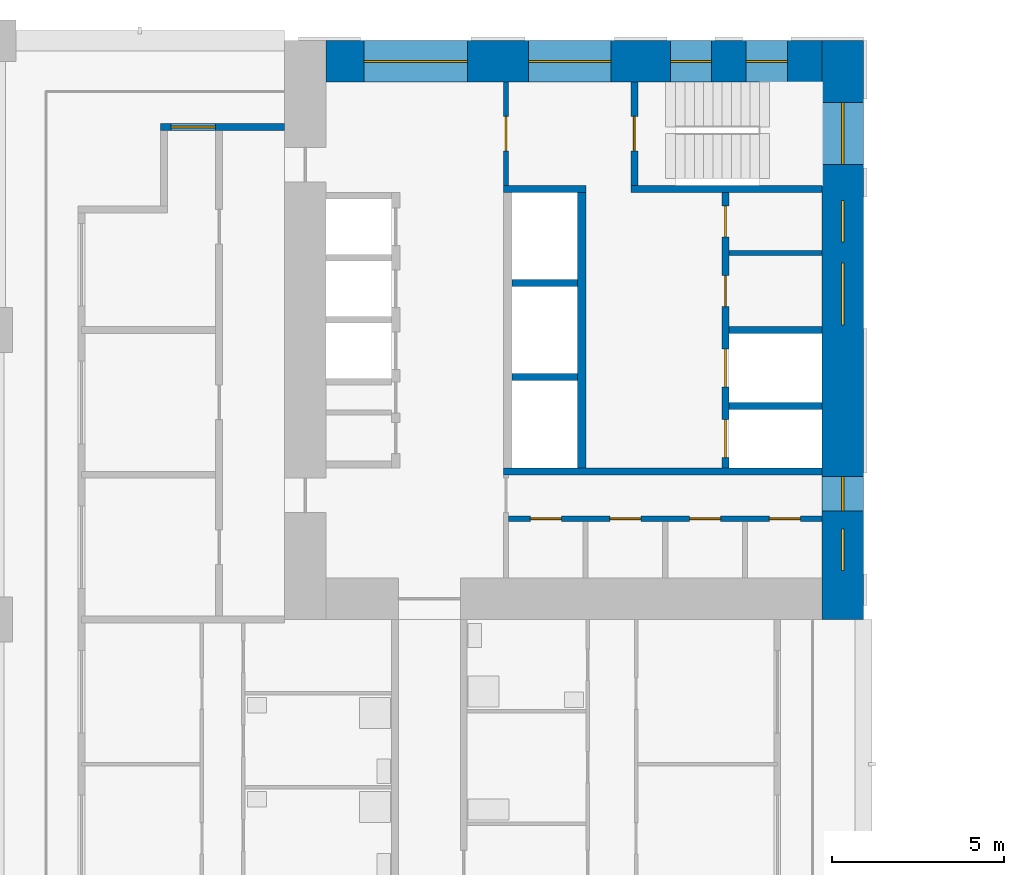
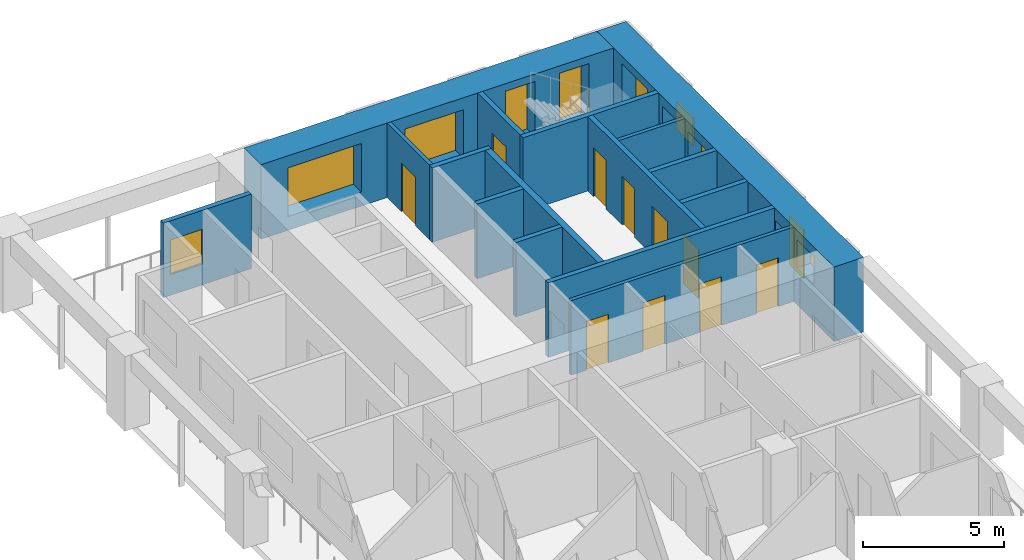
# One storey, part 8 of 17: 16 walls, 10 doors, 10 windows, 20 openings.
"""IFC4 building model written with IfcOpenShell, lengths in metres."""

from ifc_helpers import new_model, si_unit, direction, frame, frame_2d, origin, place, context, subcontext, project, spatial, rectangle, extrude, material, layer, layer_set, type_object, element, fill, save


model = new_model("IFC4")

# Units and contexts
model_context = context("Model", 3, precision=1e-05, world=origin(), true_north=direction((0.0, 1.0)))
body_context = subcontext(model_context, "Body", "Model", "MODEL_VIEW")
ifc_project = project(units=[si_unit("LENGTHUNIT", "METRE"), si_unit("AREAUNIT", "SQUARE_METRE"), si_unit("VOLUMEUNIT", "CUBIC_METRE"), si_unit("PLANEANGLEUNIT", "RADIAN"), si_unit("MASSUNIT", "GRAM", prefix="KILO")], contexts=[model_context])

# Site, building, storey
site_placement = place(None, origin())
site = spatial("IfcSite", under=ifc_project, at=site_placement, CompositionType="ELEMENT")
building_placement = place(site_placement, origin())
building = spatial("IfcBuilding", under=site, at=building_placement, Name="Vermilion Gate Residences", CompositionType="ELEMENT")
storey_placement = place(building_placement, frame((0.0, 0.0, 91.699951171875)))
storey = spatial("IfcBuildingStorey", under=building, at=storey_placement, Name="L22", CompositionType="ELEMENT", Elevation=91.699951171875)

# Wall
ifc_material_1 = material(Name="Masonry blockwork", Category="masonry")
ifc_layer_1 = layer(ifc_material_1, 0.14990234375)
ifc_layer_set_1 = layer_set([ifc_layer_1], Name="BLOCKWORK PARTITION 150 EI 120")
wall_type_1 = type_object("IfcWallType", Name="BLOCKWORK PARTITION 150 EI 120", PredefinedType="PARTITIONING", material=ifc_layer_set_1)
wall_1_placement = place(storey_placement, frame((21.300048828125, 52.637451171875, 0.0), z_axis=(0.0, 0.0, 1.0), x_axis=(1.0, 0.0, 0.0)))
element("IfcWall", 1, at=wall_1_placement, inside=storey, type_object=wall_type_1, Name="Core room partition B22-NR-P0", PredefinedType="PARTITIONING", context=body_context, shape_type="SweptSolid", body=[
    extrude(rectangle(XDim=2.699951171875, YDim=0.14990234375, at=frame_2d((1.35009765625, 0.0))), origin(), (0.0, 0.0, 1.0), 3.219970703125),
])

# Wall, opening, door
wall_2_placement = place(storey_placement, frame((14.824951171875, 57.60009765625, 0.0), z_axis=(0.0, 0.0, 1.0), x_axis=(0.0, -1.0, 0.0)))
wall_2 = element("IfcWall", 2, at=wall_2_placement, inside=storey, type_object=wall_type_1, Name="Core room partition B22-VW-S", PredefinedType="PARTITIONING", context=body_context, shape_type="SweptSolid", body=[
    extrude(rectangle(XDim=3.0, YDim=0.14990234375, at=frame_2d((1.5, 0.0))), origin(), (0.0, 0.0, 1.0), 3.219970703125),
])
opening_1_placement = place(wall_2_placement, frame((1.0, 0.0, 0.0)))
opening_1 = element("IfcOpeningElement", 3, at=opening_1_placement, cuts=wall_2, Name="Opening DK22113", PredefinedType="OPENING", context=body_context, shape_type="SweptSolid", body=[
    extrude(rectangle(XDim=1.0, YDim=2.10009765625, at=frame_2d((0.5, 1.050048828125))), frame((0.0, 0.0849609375, 0.0), z_axis=(0.0, -1.0, 0.0), x_axis=(1.0, 0.0, 0.0)), (0.0, 0.0, 1.0), 0.169921875),
])
ifc_material_2 = material(Name="Steel", Category="steel")
door_type_1 = type_object("IfcDoorType", Name="FIRE DOOR FD60 1000 X 2100", OperationType="SINGLE_SWING_LEFT", PredefinedType="DOOR", material=ifc_material_2)
door_1_placement = place(opening_1_placement, frame((1.0, 0.0, 0.0), z_axis=(0.0, 0.0, 1.0), x_axis=(-1.0, 0.0, 0.0)))
door_1 = element("IfcDoor", 4, at=door_1_placement, inside=storey, type_object=door_type_1, Name="Stair vestibule door B22", OperationType="SINGLE_SWING_RIGHT", OverallHeight=2.10009765625, OverallWidth=1.0, PredefinedType="DOOR", context=body_context, shape_type="SweptSolid", body=[
    extrude(rectangle(XDim=1.0, YDim=2.10009765625, at=frame_2d((0.5, 1.050048828125))), frame((0.0, 0.02490234375, 0.0), z_axis=(0.0, -1.0, 0.0), x_axis=(1.0, 0.0, 0.0)), (0.0, 0.0, 1.0), 0.050048828125),
])
fill(opening_1, door_1)

# Wall, openings, doors
wall_3_placement = place(storey_placement, frame((14.89990234375, 44.925048828125, 0.0), z_axis=(0.0, 0.0, 1.0), x_axis=(1.0, 0.0, 0.0)))
wall_3 = element("IfcWall", 5, at=wall_3_placement, inside=storey, type_object=wall_type_1, Name="Core room partition B22-ES-W", PredefinedType="PARTITIONING", context=body_context, shape_type="SweptSolid", body=[
    extrude(rectangle(XDim=9.10009765625, YDim=0.14990234375, at=frame_2d((4.550048828125, 0.0))), origin(), (0.0, 0.0, 1.0), 3.219970703125),
])
opening_2_placement = place(wall_3_placement, frame((0.63134765625, 0.0, 0.0)))
opening_2 = element("IfcOpeningElement", 6, at=opening_2_placement, cuts=wall_3, Name="Opening DK22116", PredefinedType="OPENING", context=body_context, shape_type="SweptSolid", body=[
    extrude(rectangle(XDim=0.89990234375, YDim=2.10009765625, at=frame_2d((0.449951171875, 1.050048828125))), frame((0.0, 0.0849609375, 0.0), z_axis=(0.0, -1.0, 0.0), x_axis=(1.0, 0.0, 0.0)), (0.0, 0.0, 1.0), 0.169921875),
])
opening_3_placement = place(wall_3_placement, frame((2.94384765625, 0.0, 0.0)))
opening_3 = element("IfcOpeningElement", 7, at=opening_3_placement, cuts=wall_3, Name="Opening DK22117", PredefinedType="OPENING", context=body_context, shape_type="SweptSolid", body=[
    extrude(rectangle(XDim=0.89990234375, YDim=2.10009765625, at=frame_2d((0.449951171875, 1.050048828125))), frame((0.0, 0.0849609375, 0.0), z_axis=(0.0, -1.0, 0.0), x_axis=(1.0, 0.0, 0.0)), (0.0, 0.0, 1.0), 0.169921875),
])
opening_4_placement = place(wall_3_placement, frame((5.25634765625, 0.0, 0.0)))
opening_4 = element("IfcOpeningElement", 8, at=opening_4_placement, cuts=wall_3, Name="Opening DK22118", PredefinedType="OPENING", context=body_context, shape_type="SweptSolid", body=[
    extrude(rectangle(XDim=0.89990234375, YDim=2.10009765625, at=frame_2d((0.449951171875, 1.050048828125))), frame((0.0, 0.0849609375, 0.0), z_axis=(0.0, -1.0, 0.0), x_axis=(1.0, 0.0, 0.0)), (0.0, 0.0, 1.0), 0.169921875),
])
opening_5_placement = place(wall_3_placement, frame((7.56884765625, 0.0, 0.0)))
opening_5 = element("IfcOpeningElement", 9, at=opening_5_placement, cuts=wall_3, Name="Opening DK22119", PredefinedType="OPENING", context=body_context, shape_type="SweptSolid", body=[
    extrude(rectangle(XDim=0.89990234375, YDim=2.10009765625, at=frame_2d((0.449951171875, 1.050048828125))), frame((0.0, 0.0849609375, 0.0), z_axis=(0.0, -1.0, 0.0), x_axis=(1.0, 0.0, 0.0)), (0.0, 0.0, 1.0), 0.169921875),
])
ifc_material_3 = material(Name="Steel", Category="steel")
door_type_2 = type_object("IfcDoorType", Name="SERVICE ROOM DOOR FD60 900 X 2100", OperationType="SINGLE_SWING_LEFT", PredefinedType="DOOR", material=ifc_material_3)
door_2_placement = place(opening_2_placement, frame((0.89990234375, 0.0, 0.0), z_axis=(0.0, 0.0, 1.0), x_axis=(-1.0, 0.0, 0.0)))
door_2 = element("IfcDoor", 10, at=door_2_placement, inside=storey, type_object=door_type_2, Name="Electrical room B22", OperationType="SINGLE_SWING_RIGHT", OverallHeight=2.10009765625, OverallWidth=0.89990234375, PredefinedType="DOOR", context=body_context, shape_type="SweptSolid", body=[
    extrude(rectangle(XDim=0.89990234375, YDim=2.10009765625, at=frame_2d((0.449951171875, 1.050048828125))), frame((0.0, 0.02490234375, 0.0), z_axis=(0.0, -1.0, 0.0), x_axis=(1.0, 0.0, 0.0)), (0.0, 0.0, 1.0), 0.050048828125),
])
fill(opening_2, door_2)
door_3_placement = place(opening_3_placement, frame((0.89990234375, 0.0, 0.0), z_axis=(0.0, 0.0, 1.0), x_axis=(-1.0, 0.0, 0.0)))
door_3 = element("IfcDoor", 11, at=door_3_placement, inside=storey, type_object=door_type_2, Name="Storage room B22", OperationType="SINGLE_SWING_RIGHT", OverallHeight=2.10009765625, OverallWidth=0.89990234375, PredefinedType="DOOR", context=body_context, shape_type="SweptSolid", body=[
    extrude(rectangle(XDim=0.89990234375, YDim=2.10009765625, at=frame_2d((0.449951171875, 1.050048828125))), frame((0.0, 0.02490234375, 0.0), z_axis=(0.0, -1.0, 0.0), x_axis=(1.0, 0.0, 0.0)), (0.0, 0.0, 1.0), 0.050048828125),
])
fill(opening_3, door_3)
door_4_placement = place(opening_4_placement, frame((0.89990234375, 0.0, 0.0), z_axis=(0.0, 0.0, 1.0), x_axis=(-1.0, 0.0, 0.0)))
door_4 = element("IfcDoor", 12, at=door_4_placement, inside=storey, type_object=door_type_2, Name="Storage room B22", OperationType="SINGLE_SWING_RIGHT", OverallHeight=2.10009765625, OverallWidth=0.89990234375, PredefinedType="DOOR", context=body_context, shape_type="SweptSolid", body=[
    extrude(rectangle(XDim=0.89990234375, YDim=2.10009765625, at=frame_2d((0.449951171875, 1.050048828125))), frame((0.0, 0.02490234375, 0.0), z_axis=(0.0, -1.0, 0.0), x_axis=(1.0, 0.0, 0.0)), (0.0, 0.0, 1.0), 0.050048828125),
])
fill(opening_4, door_4)
door_5_placement = place(opening_5_placement, frame((0.89990234375, 0.0, 0.0), z_axis=(0.0, 0.0, 1.0), x_axis=(-1.0, 0.0, 0.0)))
door_5 = element("IfcDoor", 13, at=door_5_placement, inside=storey, type_object=door_type_2, Name="Communications room B22", OperationType="SINGLE_SWING_RIGHT", OverallHeight=2.10009765625, OverallWidth=0.89990234375, PredefinedType="DOOR", context=body_context, shape_type="SweptSolid", body=[
    extrude(rectangle(XDim=0.89990234375, YDim=2.10009765625, at=frame_2d((0.449951171875, 1.050048828125))), frame((0.0, 0.02490234375, 0.0), z_axis=(0.0, -1.0, 0.0), x_axis=(1.0, 0.0, 0.0)), (0.0, 0.0, 1.0), 0.050048828125),
])
fill(opening_5, door_5)

# Wall, opening, window
ifc_material_4 = material(Name="Insulated steel stud wall with terracotta rainscreen", Category="masonry")
ifc_layer_2 = layer(ifc_material_4, 0.199951171875)
ifc_layer_set_2 = layer_set([ifc_layer_2], Name="EXTERNAL WALL 200 TERRACOTTA RAINSCREEN")
wall_type_2 = type_object("IfcWallType", Name="EXTERNAL WALL 200 TERRACOTTA RAINSCREEN", PredefinedType="SOLIDWALL", material=ifc_layer_set_2)
wall_4_placement = place(storey_placement, frame((8.39990234375, 56.300048828125, 0.0), z_axis=(0.0, 0.0, 1.0), x_axis=(-1.0, 0.0, 0.0)))
wall_4 = element("IfcWall", 14, at=wall_4_placement, inside=storey, type_object=wall_type_2, Name="External wall", PredefinedType="SOLIDWALL", context=body_context, shape_type="SweptSolid", body=[
    extrude(rectangle(XDim=3.599853515625, YDim=0.199951171875, at=frame_2d((1.7998046875, 0.0))), origin(), (0.0, 0.0, 1.0), 3.219970703125),
])
opening_6_placement = place(wall_4_placement, frame((2.0, 0.0, 0.89990234375)))
opening_6 = element("IfcOpeningElement", 15, at=opening_6_placement, cuts=wall_4, Name="Opening WE22001", PredefinedType="OPENING", context=body_context, shape_type="SweptSolid", body=[
    extrude(rectangle(XDim=1.300048828125, YDim=1.5, at=frame_2d((0.64990234375, 0.75))), frame((0.0, 0.10986328125, 0.0), z_axis=(0.0, -1.0, 0.0), x_axis=(1.0, 0.0, 0.0)), (0.0, 0.0, 1.0), 0.219970703125),
])
ifc_material_5 = material(Name="Aluminium and clear glass", Category="aluminium")
window_type_1 = type_object("IfcWindowType", Name="WINDOW 1300 X 1500", PartitioningType="SINGLE_PANEL", PredefinedType="WINDOW", material=ifc_material_5)
window_1_placement = place(opening_6_placement, origin())
window_1 = element("IfcWindow", 16, at=window_1_placement, inside=storey, type_object=window_type_1, Name="Window", OverallHeight=1.5, OverallWidth=1.300048828125, PartitioningType="SINGLE_PANEL", PredefinedType="WINDOW", context=body_context, shape_type="SweptSolid", body=[
    extrude(rectangle(XDim=1.300048828125, YDim=1.5, at=frame_2d((0.64990234375, 0.75))), frame((0.0, 0.030029296875, 0.0), z_axis=(0.0, -1.0, 0.0), x_axis=(1.0, 0.0, 0.0)), (0.0, 0.0, 1.0), 0.06005859375),
])
fill(opening_6, window_1)

# Walls
ifc_material_6 = material(Name="Concrete C60", Category="concrete")
ifc_layer_3 = layer(ifc_material_6, 0.199951171875)
ifc_layer_set_3 = layer_set([ifc_layer_3], Name="RC CORE INTERNAL WALL 200 C60")
wall_type_3 = type_object("IfcWallType", Name="RC CORE INTERNAL WALL 200 C60", PredefinedType="SHEAR", material=ifc_layer_set_3)
for number, where, z_axis, x_axis, name in (
    (17, (15.0, 51.7666015625, 0.0), (0.0, 0.0, 1.0), (1.0, 0.0, 0.0), "Core internal wall B22-HR-D1"),
    (18, (15.0, 49.033447265625, 0.0), (0.0, 0.0, 1.0), (1.0, 0.0, 0.0), "Core internal wall B22-HR-D2"),
):
    element("IfcWall", number, at=place(storey_placement, frame(where, z_axis=z_axis, x_axis=x_axis)), inside=storey, type_object=wall_type_3, Name=name, PredefinedType="SHEAR", context=body_context, shape_type="SweptSolid", body=[
        extrude(rectangle(XDim=1.89990234375, YDim=0.199951171875, at=frame_2d((0.949951171875, 0.0))), origin(), (0.0, 0.0, 1.0), 3.219970703125),
    ])
for number, where, z_axis, x_axis, name in (
    (19, (21.300048828125, 50.39990234375, 0.0), (0.0, 0.0, 1.0), (1.0, 0.0, 0.0), "Core internal wall B22-FF-D0"),
    (20, (21.300048828125, 48.199951171875, 0.0), (0.0, 0.0, 1.0), (1.0, 0.0, 0.0), "Core internal wall B22-FF-D1"),
):
    element("IfcWall", number, at=place(storey_placement, frame(where, z_axis=z_axis, x_axis=x_axis)), inside=storey, type_object=wall_type_3, Name=name, PredefinedType="SHEAR", context=body_context, shape_type="SweptSolid", body=[
        extrude(rectangle(XDim=2.699951171875, YDim=0.199951171875, at=frame_2d((1.35009765625, 0.0))), origin(), (0.0, 0.0, 1.0), 3.219970703125),
    ])

# Wall, openings, doors
wall_5_placement = place(storey_placement, frame((21.199951171875, 54.39990234375, 0.0), z_axis=(0.0, 0.0, 1.0), x_axis=(0.0, -1.0, 0.0)))
wall_5 = element("IfcWall", 21, at=wall_5_placement, inside=storey, type_object=wall_type_3, Name="Core internal wall B22-FF-F", PredefinedType="SHEAR", context=body_context, shape_type="SweptSolid", body=[
    extrude(rectangle(XDim=8.0, YDim=0.199951171875, at=frame_2d((4.0, 0.0))), origin(), (0.0, 0.0, 1.0), 3.219970703125),
])
opening_7_placement = place(wall_5_placement, frame((0.393798828125, 0.0, 0.0)))
opening_7 = element("IfcOpeningElement", 22, at=opening_7_placement, cuts=wall_5, Name="Opening DK22109", PredefinedType="OPENING", context=body_context, shape_type="SweptSolid", body=[
    extrude(rectangle(XDim=0.89990234375, YDim=2.10009765625, at=frame_2d((0.449951171875, 1.050048828125))), frame((0.0, 0.10986328125, 0.0), z_axis=(0.0, -1.0, 0.0), x_axis=(1.0, 0.0, 0.0)), (0.0, 0.0, 1.0), 0.219970703125),
])
opening_8_placement = place(wall_5_placement, frame((2.418701171875, 0.0, 0.0)))
opening_8 = element("IfcOpeningElement", 23, at=opening_8_placement, cuts=wall_5, Name="Opening DK22110", PredefinedType="OPENING", context=body_context, shape_type="SweptSolid", body=[
    extrude(rectangle(XDim=0.89990234375, YDim=2.10009765625, at=frame_2d((0.449951171875, 1.050048828125))), frame((0.0, 0.10986328125, 0.0), z_axis=(0.0, -1.0, 0.0), x_axis=(1.0, 0.0, 0.0)), (0.0, 0.0, 1.0), 0.219970703125),
])
opening_9_placement = place(wall_5_placement, frame((4.550048828125, 0.0, 0.0)))
opening_9 = element("IfcOpeningElement", 24, at=opening_9_placement, cuts=wall_5, Name="Opening LD", PredefinedType="OPENING", context=body_context, shape_type="SweptSolid", body=[
    extrude(rectangle(XDim=1.10009765625, YDim=2.10009765625, at=frame_2d((0.550048828125, 1.050048828125))), frame((0.0, 0.10986328125, 0.0), z_axis=(0.0, -1.0, 0.0), x_axis=(1.0, 0.0, 0.0)), (0.0, 0.0, 1.0), 0.219970703125),
])
opening_10_placement = place(wall_5_placement, frame((6.60009765625, 0.0, 0.0)))
opening_10 = element("IfcOpeningElement", 25, at=opening_10_placement, cuts=wall_5, Name="Opening LD", PredefinedType="OPENING", context=body_context, shape_type="SweptSolid", body=[
    extrude(rectangle(XDim=1.10009765625, YDim=2.10009765625, at=frame_2d((0.550048828125, 1.050048828125))), frame((0.0, 0.10986328125, 0.0), z_axis=(0.0, -1.0, 0.0), x_axis=(1.0, 0.0, 0.0)), (0.0, 0.0, 1.0), 0.219970703125),
])
ifc_material_7 = material(Name="Stainless steel", Category="steel")
door_type_3 = type_object("IfcDoorType", Name="LIFT LANDING DOOR E60 1100 X 2100", OperationType="DOUBLE_DOOR_SLIDING", PredefinedType="DOOR", material=ifc_material_7)
door_6_placement = place(opening_9_placement, origin())
door_6 = element("IfcDoor", 26, at=door_6_placement, inside=storey, type_object=door_type_3, Name="Lift landing door LFB1", OperationType="DOUBLE_DOOR_SLIDING", OverallHeight=2.10009765625, OverallWidth=1.10009765625, PredefinedType="DOOR", context=body_context, shape_type="SweptSolid", body=[
    extrude(rectangle(XDim=1.10009765625, YDim=2.10009765625, at=frame_2d((0.550048828125, 1.050048828125))), frame((0.0, 0.02490234375, 0.0), z_axis=(0.0, -1.0, 0.0), x_axis=(1.0, 0.0, 0.0)), (0.0, 0.0, 1.0), 0.050048828125),
])
fill(opening_9, door_6)
door_7_placement = place(opening_10_placement, origin())
door_7 = element("IfcDoor", 27, at=door_7_placement, inside=storey, type_object=door_type_3, Name="Lift landing door LCB1", OperationType="DOUBLE_DOOR_SLIDING", OverallHeight=2.10009765625, OverallWidth=1.10009765625, PredefinedType="DOOR", context=body_context, shape_type="SweptSolid", body=[
    extrude(rectangle(XDim=1.10009765625, YDim=2.10009765625, at=frame_2d((0.550048828125, 1.050048828125))), frame((0.0, 0.02490234375, 0.0), z_axis=(0.0, -1.0, 0.0), x_axis=(1.0, 0.0, 0.0)), (0.0, 0.0, 1.0), 0.050048828125),
])
fill(opening_10, door_7)
door_8_placement = place(opening_7_placement, origin())
door_8 = element("IfcDoor", 28, at=door_8_placement, inside=storey, type_object=door_type_2, Name="Parcel room B22", OperationType="SINGLE_SWING_RIGHT", OverallHeight=2.10009765625, OverallWidth=0.89990234375, PredefinedType="DOOR", context=body_context, shape_type="SweptSolid", body=[
    extrude(rectangle(XDim=0.89990234375, YDim=2.10009765625, at=frame_2d((0.449951171875, 1.050048828125))), frame((0.0, 0.02490234375, 0.0), z_axis=(0.0, -1.0, 0.0), x_axis=(1.0, 0.0, 0.0)), (0.0, 0.0, 1.0), 0.050048828125),
])
fill(opening_7, door_8)
door_9_placement = place(opening_8_placement, frame((0.89990234375, 0.0, 0.0), z_axis=(0.0, 0.0, 1.0), x_axis=(-1.0, 0.0, 0.0)))
door_9 = element("IfcDoor", 29, at=door_9_placement, inside=storey, type_object=door_type_2, Name="Electrical room B22", OperationType="SINGLE_SWING_RIGHT", OverallHeight=2.10009765625, OverallWidth=0.89990234375, PredefinedType="DOOR", context=body_context, shape_type="SweptSolid", body=[
    extrude(rectangle(XDim=0.89990234375, YDim=2.10009765625, at=frame_2d((0.449951171875, 1.050048828125))), frame((0.0, 0.02490234375, 0.0), z_axis=(0.0, -1.0, 0.0), x_axis=(1.0, 0.0, 0.0)), (0.0, 0.0, 1.0), 0.050048828125),
])
fill(opening_8, door_9)

# Walls
wall_6_placement = place(storey_placement, frame((14.75, 54.5, 0.0), z_axis=(0.0, 0.0, 1.0), x_axis=(1.0, 0.0, 0.0)))
element("IfcWall", 30, at=wall_6_placement, inside=storey, type_object=wall_type_3, Name="Core internal wall B22-WDIV1", PredefinedType="SHEAR", context=body_context, shape_type="SweptSolid", body=[
    extrude(rectangle(XDim=2.39990234375, YDim=0.199951171875, at=frame_2d((1.199951171875, 0.0))), origin(), (0.0, 0.0, 1.0), 3.219970703125),
])
wall_7_placement = place(storey_placement, frame((18.449951171875, 54.5, 0.0), z_axis=(0.0, 0.0, 1.0), x_axis=(1.0, 0.0, 0.0)))
element("IfcWall", 31, at=wall_7_placement, inside=storey, type_object=wall_type_3, Name="Core internal wall B22-WDIV2", PredefinedType="SHEAR", context=body_context, shape_type="SweptSolid", body=[
    extrude(rectangle(XDim=5.550048828125, YDim=0.199951171875, at=frame_2d((2.77490234375, 0.0))), origin(), (0.0, 0.0, 1.0), 3.219970703125),
])

# Wall, opening, door
wall_8_placement = place(storey_placement, frame((18.550048828125, 57.60009765625, 0.0), z_axis=(0.0, 0.0, 1.0), x_axis=(0.0, -1.0, 0.0)))
wall_8 = element("IfcWall", 32, at=wall_8_placement, inside=storey, type_object=wall_type_3, Name="Core internal wall B22-STW-S", PredefinedType="SHEAR", context=body_context, shape_type="SweptSolid", body=[
    extrude(rectangle(XDim=3.0, YDim=0.199951171875, at=frame_2d((1.5, 0.0))), origin(), (0.0, 0.0, 1.0), 3.219970703125),
])
opening_11_placement = place(wall_8_placement, frame((1.0, 0.0, 0.0)))
opening_11 = element("IfcOpeningElement", 33, at=opening_11_placement, cuts=wall_8, Name="Opening DK22114", PredefinedType="OPENING", context=body_context, shape_type="SweptSolid", body=[
    extrude(rectangle(XDim=1.0, YDim=2.10009765625, at=frame_2d((0.5, 1.050048828125))), frame((0.0, 0.10986328125, 0.0), z_axis=(0.0, -1.0, 0.0), x_axis=(1.0, 0.0, 0.0)), (0.0, 0.0, 1.0), 0.219970703125),
])
door_10_placement = place(opening_11_placement, origin())
door_10 = element("IfcDoor", 34, at=door_10_placement, inside=storey, type_object=door_type_1, Name="Stair door B22", OperationType="SINGLE_SWING_LEFT", OverallHeight=2.10009765625, OverallWidth=1.0, PredefinedType="DOOR", context=body_context, shape_type="SweptSolid", body=[
    extrude(rectangle(XDim=1.0, YDim=2.10009765625, at=frame_2d((0.5, 1.050048828125))), frame((0.0, 0.02490234375, 0.0), z_axis=(0.0, -1.0, 0.0), x_axis=(1.0, 0.0, 0.0)), (0.0, 0.0, 1.0), 0.050048828125),
])
fill(opening_11, door_10)

# Wall
wall_9_placement = place(storey_placement, frame((14.75, 46.300048828125, 0.0), z_axis=(0.0, 0.0, 1.0), x_axis=(1.0, 0.0, 0.0)))
element("IfcWall", 35, at=wall_9_placement, inside=storey, type_object=wall_type_3, Name="Core internal wall B22-EDIV", PredefinedType="SHEAR", context=body_context, shape_type="SweptSolid", body=[
    extrude(rectangle(XDim=9.25, YDim=0.199951171875, at=frame_2d((4.625, 0.0))), origin(), (0.0, 0.0, 1.0), 3.219970703125),
])

# Wall, openings, windows
ifc_material_8 = material(Name="Concrete C70 red-oxide pigmented", Category="concrete")
ifc_layer_4 = layer(ifc_material_8, 1.199951171875)
ifc_layer_set_4 = layer_set([ifc_layer_4], Name="RC CORE WALL 1200 C70 RED OXIDE")
wall_type_4 = type_object("IfcWallType", Name="RC CORE WALL 1200 C70 RED OXIDE", PredefinedType="SHEAR", material=ifc_layer_set_4)
wall_10_placement = place(storey_placement, frame((24.60009765625, 58.800048828125, 0.0), z_axis=(0.0, 0.0, 1.0), x_axis=(0.0, -1.0, 0.0)))
wall_10 = element("IfcWall", 36, at=wall_10_placement, inside=storey, type_object=wall_type_4, Name="Core wall B22-OUT-B1", PredefinedType="SHEAR", context=body_context, shape_type="SweptSolid", body=[
    extrude(rectangle(XDim=16.800048828125, YDim=1.199951171875, at=frame_2d((8.39990234375, 0.0))), origin(), (0.0, 0.0, 1.0), 3.219970703125),
])
opening_12_placement = place(wall_10_placement, frame((1.800048828125, 0.0, 0.5)))
opening_12 = element("IfcOpeningElement", 37, at=opening_12_placement, cuts=wall_10, Name="Opening WKB2201", PredefinedType="OPENING", context=body_context, shape_type="SweptSolid", body=[
    extrude(rectangle(XDim=1.800048828125, YDim=2.39990234375, at=frame_2d((0.89990234375, 1.199951171875))), frame((0.0, 0.60986328125, 0.0), z_axis=(0.0, -1.0, 0.0), x_axis=(1.0, 0.0, 0.0)), (0.0, 0.0, 1.0), 1.219970703125),
])
opening_13_placement = place(wall_10_placement, frame((4.643798828125, 0.0, 1.60009765625)))
opening_13 = element("IfcOpeningElement", 38, at=opening_13_placement, cuts=wall_10, Name="Opening WKB2202", PredefinedType="OPENING", context=body_context, shape_type="SweptSolid", body=[
    extrude(rectangle(XDim=1.199951171875, YDim=1.199951171875, at=frame_2d((0.60009765625, 0.60009765625))), frame((0.0, 0.60986328125, 0.0), z_axis=(0.0, -1.0, 0.0), x_axis=(1.0, 0.0, 0.0)), (0.0, 0.0, 1.0), 1.219970703125),
])
opening_14_placement = place(wall_10_placement, frame((6.449951171875, 0.0, 1.60009765625)))
opening_14 = element("IfcOpeningElement", 39, at=opening_14_placement, cuts=wall_10, Name="Opening WKB2203", PredefinedType="OPENING", context=body_context, shape_type="SweptSolid", body=[
    extrude(rectangle(XDim=1.800048828125, YDim=1.199951171875, at=frame_2d((0.89990234375, 0.60009765625))), frame((0.0, 0.60986328125, 0.0), z_axis=(0.0, -1.0, 0.0), x_axis=(1.0, 0.0, 0.0)), (0.0, 0.0, 1.0), 1.219970703125),
])
opening_15_placement = place(wall_10_placement, frame((12.64990234375, 0.0, 0.60009765625)))
opening_15 = element("IfcOpeningElement", 40, at=opening_15_placement, cuts=wall_10, Name="Opening WKB2204", PredefinedType="OPENING", context=body_context, shape_type="SweptSolid", body=[
    extrude(rectangle(XDim=1.0, YDim=2.10009765625, at=frame_2d((0.5, 1.050048828125))), frame((0.0, 0.60986328125, 0.0), z_axis=(0.0, -1.0, 0.0), x_axis=(1.0, 0.0, 0.0)), (0.0, 0.0, 1.0), 1.219970703125),
])
opening_16_placement = place(wall_10_placement, frame((14.175048828125, 0.0, 1.60009765625)))
opening_16 = element("IfcOpeningElement", 41, at=opening_16_placement, cuts=wall_10, Name="Opening WKB2205", PredefinedType="OPENING", context=body_context, shape_type="SweptSolid", body=[
    extrude(rectangle(XDim=1.199951171875, YDim=1.199951171875, at=frame_2d((0.60009765625, 0.60009765625))), frame((0.0, 0.60986328125, 0.0), z_axis=(0.0, -1.0, 0.0), x_axis=(1.0, 0.0, 0.0)), (0.0, 0.0, 1.0), 1.219970703125),
])
ifc_material_9 = material(Name="Aluminium and clear glass", Category="aluminium")
window_type_2 = type_object("IfcWindowType", Name="CORE CORRIDOR WINDOW 1000 X 2100", PartitioningType="SINGLE_PANEL", PredefinedType="WINDOW", material=ifc_material_9)
window_2_placement = place(opening_15_placement, origin())
window_2 = element("IfcWindow", 42, at=window_2_placement, inside=storey, type_object=window_type_2, Name="Core corridor window", OverallHeight=2.10009765625, OverallWidth=1.0, PartitioningType="SINGLE_PANEL", PredefinedType="WINDOW", context=body_context, shape_type="SweptSolid", body=[
    extrude(rectangle(XDim=1.0, YDim=2.10009765625, at=frame_2d((0.5, 1.050048828125))), frame((0.0, 0.030029296875, 0.0), z_axis=(0.0, -1.0, 0.0), x_axis=(1.0, 0.0, 0.0)), (0.0, 0.0, 1.0), 0.06005859375),
])
fill(opening_15, window_2)
ifc_material_10 = material(Name="Aluminium frame with louvre blades", Category="aluminium")
window_type_3 = type_object("IfcWindowType", Name="CORE LOUVRE 1200 X 1200", PartitioningType="SINGLE_PANEL", PredefinedType="WINDOW", material=ifc_material_10)
window_3_placement = place(opening_13_placement, origin())
window_3 = element("IfcWindow", 43, at=window_3_placement, inside=storey, type_object=window_type_3, Name="Core louvre", OverallHeight=1.199951171875, OverallWidth=1.199951171875, PartitioningType="SINGLE_PANEL", PredefinedType="WINDOW", context=body_context, shape_type="SweptSolid", body=[
    extrude(rectangle(XDim=1.199951171875, YDim=1.199951171875, at=frame_2d((0.60009765625, 0.60009765625))), frame((0.0, 0.030029296875, 0.0), z_axis=(0.0, -1.0, 0.0), x_axis=(1.0, 0.0, 0.0)), (0.0, 0.0, 1.0), 0.06005859375),
])
fill(opening_13, window_3)
window_4_placement = place(opening_16_placement, origin())
window_4 = element("IfcWindow", 44, at=window_4_placement, inside=storey, type_object=window_type_3, Name="Core louvre", OverallHeight=1.199951171875, OverallWidth=1.199951171875, PartitioningType="SINGLE_PANEL", PredefinedType="WINDOW", context=body_context, shape_type="SweptSolid", body=[
    extrude(rectangle(XDim=1.199951171875, YDim=1.199951171875, at=frame_2d((0.60009765625, 0.60009765625))), frame((0.0, 0.030029296875, 0.0), z_axis=(0.0, -1.0, 0.0), x_axis=(1.0, 0.0, 0.0)), (0.0, 0.0, 1.0), 0.06005859375),
])
fill(opening_16, window_4)
ifc_material_11 = material(Name="Aluminium frame with louvre blades", Category="aluminium")
window_type_4 = type_object("IfcWindowType", Name="CORE LOUVRE 1800 X 1200", PartitioningType="SINGLE_PANEL", PredefinedType="WINDOW", material=ifc_material_11)
window_5_placement = place(opening_14_placement, origin())
window_5 = element("IfcWindow", 45, at=window_5_placement, inside=storey, type_object=window_type_4, Name="Core louvre", OverallHeight=1.199951171875, OverallWidth=1.800048828125, PartitioningType="SINGLE_PANEL", PredefinedType="WINDOW", context=body_context, shape_type="SweptSolid", body=[
    extrude(rectangle(XDim=1.800048828125, YDim=1.199951171875, at=frame_2d((0.89990234375, 0.60009765625))), frame((0.0, 0.030029296875, 0.0), z_axis=(0.0, -1.0, 0.0), x_axis=(1.0, 0.0, 0.0)), (0.0, 0.0, 1.0), 0.06005859375),
])
fill(opening_14, window_5)
ifc_material_12 = material(Name="Aluminium and clear glass", Category="aluminium")
window_type_5 = type_object("IfcWindowType", Name="CORE STAIR WINDOW 1800 X 2400", PartitioningType="SINGLE_PANEL", PredefinedType="WINDOW", material=ifc_material_12)
window_6_placement = place(opening_12_placement, origin())
window_6 = element("IfcWindow", 46, at=window_6_placement, inside=storey, type_object=window_type_5, Name="Core stair window", OverallHeight=2.39990234375, OverallWidth=1.800048828125, PartitioningType="SINGLE_PANEL", PredefinedType="WINDOW", context=body_context, shape_type="SweptSolid", body=[
    extrude(rectangle(XDim=1.800048828125, YDim=2.39990234375, at=frame_2d((0.89990234375, 1.199951171875))), frame((0.0, 0.030029296875, 0.0), z_axis=(0.0, -1.0, 0.0), x_axis=(1.0, 0.0, 0.0)), (0.0, 0.0, 1.0), 0.06005859375),
])
fill(opening_12, window_6)

wall_11_placement = place(storey_placement, frame((9.60009765625, 58.199951171875, 0.0), z_axis=(0.0, 0.0, 1.0), x_axis=(1.0, 0.0, 0.0)))
wall_11 = element("IfcWall", 47, at=wall_11_placement, inside=storey, type_object=wall_type_4, Name="Core wall B22-OUT-FR", PredefinedType="SHEAR", context=body_context, shape_type="SweptSolid", body=[
    extrude(rectangle(XDim=14.39990234375, YDim=1.199951171875, at=frame_2d((7.199951171875, 0.0))), origin(), (0.0, 0.0, 1.0), 3.219970703125),
])
opening_17_placement = place(wall_11_placement, frame((1.10498046875, 0.0, 0.60009765625)))
opening_17 = element("IfcOpeningElement", 48, at=opening_17_placement, cuts=wall_11, Name="Opening WKB2206", PredefinedType="OPENING", context=body_context, shape_type="SweptSolid", body=[
    extrude(rectangle(XDim=3.0, YDim=2.10009765625, at=frame_2d((1.5, 1.050048828125))), frame((0.0, 0.60986328125, 0.0), z_axis=(0.0, -1.0, 0.0), x_axis=(1.0, 0.0, 0.0)), (0.0, 0.0, 1.0), 1.219970703125),
])
opening_18_placement = place(wall_11_placement, frame((5.875, 0.0, 0.60009765625)))
opening_18 = element("IfcOpeningElement", 49, at=opening_18_placement, cuts=wall_11, Name="Opening WKB2207", PredefinedType="OPENING", context=body_context, shape_type="SweptSolid", body=[
    extrude(rectangle(XDim=2.39990234375, YDim=2.10009765625, at=frame_2d((1.199951171875, 1.050048828125))), frame((0.0, 0.60986328125, 0.0), z_axis=(0.0, -1.0, 0.0), x_axis=(1.0, 0.0, 0.0)), (0.0, 0.0, 1.0), 1.219970703125),
])
opening_19_placement = place(wall_11_placement, frame((9.993408203125, 0.0, 0.5)))
opening_19 = element("IfcOpeningElement", 50, at=opening_19_placement, cuts=wall_11, Name="Opening WKB2208", PredefinedType="OPENING", context=body_context, shape_type="SweptSolid", body=[
    extrude(rectangle(XDim=1.199951171875, YDim=2.39990234375, at=frame_2d((0.60009765625, 1.199951171875))), frame((0.0, 0.60986328125, 0.0), z_axis=(0.0, -1.0, 0.0), x_axis=(1.0, 0.0, 0.0)), (0.0, 0.0, 1.0), 1.219970703125),
])
opening_20_placement = place(wall_11_placement, frame((12.19677734375, 0.0, 0.5)))
opening_20 = element("IfcOpeningElement", 51, at=opening_20_placement, cuts=wall_11, Name="Opening WKB2209", PredefinedType="OPENING", context=body_context, shape_type="SweptSolid", body=[
    extrude(rectangle(XDim=1.199951171875, YDim=2.39990234375, at=frame_2d((0.60009765625, 1.199951171875))), frame((0.0, 0.60986328125, 0.0), z_axis=(0.0, -1.0, 0.0), x_axis=(1.0, 0.0, 0.0)), (0.0, 0.0, 1.0), 1.219970703125),
])
ifc_material_13 = material(Name="Aluminium and clear glass", Category="aluminium")
window_type_6 = type_object("IfcWindowType", Name="CORE LOBBY WINDOW 2400 X 2100", PartitioningType="SINGLE_PANEL", PredefinedType="WINDOW", material=ifc_material_13)
window_7_placement = place(opening_18_placement, origin())
window_7 = element("IfcWindow", 52, at=window_7_placement, inside=storey, type_object=window_type_6, Name="Core lobby window", OverallHeight=2.10009765625, OverallWidth=2.39990234375, PartitioningType="SINGLE_PANEL", PredefinedType="WINDOW", context=body_context, shape_type="SweptSolid", body=[
    extrude(rectangle(XDim=2.39990234375, YDim=2.10009765625, at=frame_2d((1.199951171875, 1.050048828125))), frame((0.0, 0.030029296875, 0.0), z_axis=(0.0, -1.0, 0.0), x_axis=(1.0, 0.0, 0.0)), (0.0, 0.0, 1.0), 0.06005859375),
])
fill(opening_18, window_7)
ifc_material_14 = material(Name="Aluminium and clear glass", Category="aluminium")
window_type_7 = type_object("IfcWindowType", Name="CORE LOBBY WINDOW 3000 X 2100", PartitioningType="SINGLE_PANEL", PredefinedType="WINDOW", material=ifc_material_14)
window_8_placement = place(opening_17_placement, origin())
window_8 = element("IfcWindow", 53, at=window_8_placement, inside=storey, type_object=window_type_7, Name="Core lobby window", OverallHeight=2.10009765625, OverallWidth=3.0, PartitioningType="SINGLE_PANEL", PredefinedType="WINDOW", context=body_context, shape_type="SweptSolid", body=[
    extrude(rectangle(XDim=3.0, YDim=2.10009765625, at=frame_2d((1.5, 1.050048828125))), frame((0.0, 0.030029296875, 0.0), z_axis=(0.0, -1.0, 0.0), x_axis=(1.0, 0.0, 0.0)), (0.0, 0.0, 1.0), 0.06005859375),
])
fill(opening_17, window_8)
ifc_material_15 = material(Name="Aluminium and clear glass", Category="aluminium")
window_type_8 = type_object("IfcWindowType", Name="CORE STAIR WINDOW 1200 X 2400", PartitioningType="SINGLE_PANEL", PredefinedType="WINDOW", material=ifc_material_15)
window_9_placement = place(opening_19_placement, origin())
window_9 = element("IfcWindow", 54, at=window_9_placement, inside=storey, type_object=window_type_8, Name="Core stair window", OverallHeight=2.39990234375, OverallWidth=1.199951171875, PartitioningType="SINGLE_PANEL", PredefinedType="WINDOW", context=body_context, shape_type="SweptSolid", body=[
    extrude(rectangle(XDim=1.199951171875, YDim=2.39990234375, at=frame_2d((0.60009765625, 1.199951171875))), frame((0.0, 0.030029296875, 0.0), z_axis=(0.0, -1.0, 0.0), x_axis=(1.0, 0.0, 0.0)), (0.0, 0.0, 1.0), 0.06005859375),
])
fill(opening_19, window_9)
window_10_placement = place(opening_20_placement, origin())
window_10 = element("IfcWindow", 55, at=window_10_placement, inside=storey, type_object=window_type_8, Name="Core stair window", OverallHeight=2.39990234375, OverallWidth=1.199951171875, PartitioningType="SINGLE_PANEL", PredefinedType="WINDOW", context=body_context, shape_type="SweptSolid", body=[
    extrude(rectangle(XDim=1.199951171875, YDim=2.39990234375, at=frame_2d((0.60009765625, 1.199951171875))), frame((0.0, 0.030029296875, 0.0), z_axis=(0.0, -1.0, 0.0), x_axis=(1.0, 0.0, 0.0)), (0.0, 0.0, 1.0), 0.06005859375),
])
fill(opening_20, window_10)

# Wall
ifc_material_16 = material(Name="Concrete C60", Category="concrete")
ifc_layer_5 = layer(ifc_material_16, 0.25)
ifc_layer_set_5 = layer_set([ifc_layer_5], Name="RC LIFT SHAFT WALL 250 C60")
wall_type_5 = type_object("IfcWallType", Name="RC LIFT SHAFT WALL 250 C60", PredefinedType="SHEAR", material=ifc_layer_set_5)
wall_12_placement = place(storey_placement, frame((17.02490234375, 54.39990234375, 0.0), z_axis=(0.0, 0.0, 1.0), x_axis=(0.0, -1.0, 0.0)))
element("IfcWall", 56, at=wall_12_placement, inside=storey, type_object=wall_type_5, Name="Lift shaft wall B22-HR-B", PredefinedType="SHEAR", context=body_context, shape_type="SweptSolid", body=[
    extrude(rectangle(XDim=8.0, YDim=0.25, at=frame_2d((4.0, 0.0))), origin(), (0.0, 0.0, 1.0), 3.219970703125),
])

save(model, "model.ifc")
